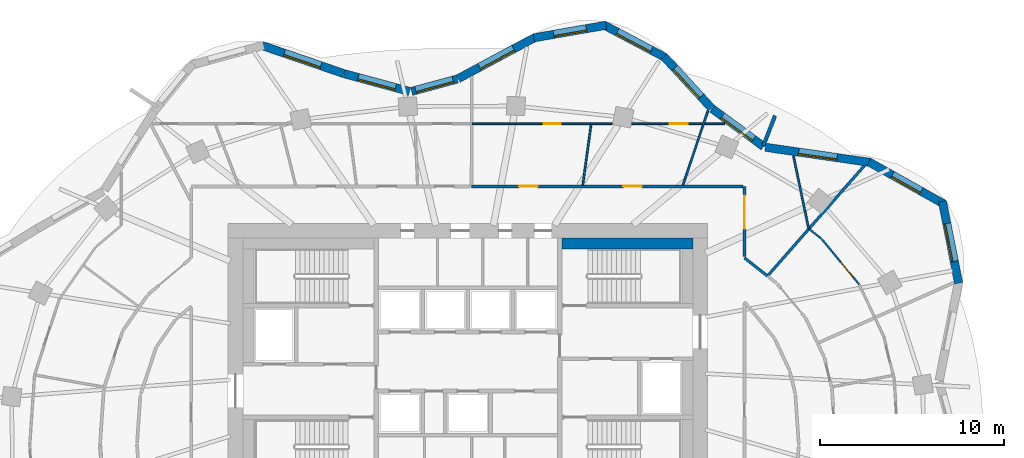
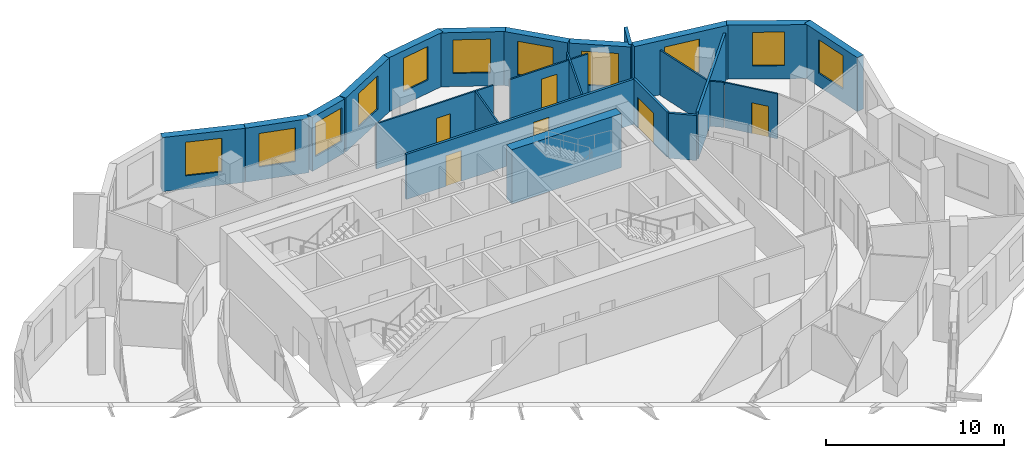
# One storey, part 9 of 11: 24 walls, 11 windows, 6 doors, 17 openings.
"""IFC4 building model written with IfcOpenShell, lengths in metres."""

from ifc_helpers import new_model, si_unit, direction, frame, frame_2d, origin, place, context, subcontext, project, spatial, rectangle, extrude, material, layer, layer_set, type_object, element, fill, save


model = new_model("IFC4")

# Units and contexts
model_context = context("Model", 3, precision=1e-05, world=origin(), true_north=direction((0.0, 1.0)))
body_context = subcontext(model_context, "Body", "Model", "MODEL_VIEW")
ifc_project = project(units=[si_unit("LENGTHUNIT", "METRE"), si_unit("AREAUNIT", "SQUARE_METRE"), si_unit("VOLUMEUNIT", "CUBIC_METRE"), si_unit("PLANEANGLEUNIT", "RADIAN"), si_unit("MASSUNIT", "GRAM", prefix="KILO")], contexts=[model_context])

# Site, building, storey
site_placement = place(None, origin())
site = spatial("IfcSite", under=ifc_project, at=site_placement, CompositionType="ELEMENT")
building_placement = place(site_placement, origin())
building = spatial("IfcBuilding", under=site, at=building_placement, Name="Rubra Terraces Tower", CompositionType="ELEMENT")
storey_placement = place(building_placement, frame((0.0, 0.0, 174.0)))
storey = spatial("IfcBuildingStorey", under=building, at=storey_placement, Name="L42", CompositionType="ELEMENT", Elevation=174.0)

# Wall, opening, window
ifc_material_1 = material(Name="Brick masonry red-brown", Category="masonry")
ifc_layer_1 = layer(ifc_material_1, 0.449951171875)
ifc_layer_set_1 = layer_set([ifc_layer_1], Name="Brick masonry red-brown")
wall_type_1 = type_object("IfcWallType", Name="Brick facade wall 450", PredefinedType="SOLIDWALL", material=ifc_layer_set_1)
wall_1_placement = place(storey_placement, frame((26.609619140625, 8.747802734375, 0.0), z_axis=(0.0, 0.0, 1.0), x_axis=(-0.193923166402, 0.981016720312, 0.0)))
wall_1 = element("IfcWall", 1, at=wall_1_placement, inside=storey, type_object=wall_type_1, Name="Facade wall L42 bay 3", PredefinedType="SOLIDWALL", context=body_context, shape_type="SweptSolid", body=[
    extrude(rectangle(XDim=4.518310546875, YDim=0.449951171875, at=frame_2d((2.25927734375, 0.0))), origin(), (0.0, 0.0, 1.0), 3.699951171875),
])
opening_1_placement = place(wall_1_placement, frame((1.209228515625, 0.0, 0.89990234375)))
opening_1 = element("IfcOpeningElement", 2, at=opening_1_placement, cuts=wall_1, Name="Opening W1B", PredefinedType="OPENING", context=body_context, shape_type="SweptSolid", body=[
    extrude(rectangle(XDim=2.10009765625, YDim=2.300048828125, at=frame_2d((1.050048828125, 1.14990234375))), frame((0.0, 0.23486328125, 0.0), z_axis=(0.0, -1.0, 0.0), x_axis=(1.0, 0.0, 0.0)), (0.0, 0.0, 1.0), 0.469970703125),
])
ifc_material_2 = material(Name="Clear glass in aluminium frame", Category="aluminium")
window_type_1 = type_object("IfcWindowType", Name="Fixed deep-set window tall storey 2100 x 2300", PartitioningType="SINGLE_PANEL", PredefinedType="WINDOW", material=ifc_material_2)
window_1_placement = place(opening_1_placement, origin())
window_1 = element("IfcWindow", 3, at=window_1_placement, inside=storey, type_object=window_type_1, Name="Window L42 bay 3", OverallHeight=2.300048828125, OverallWidth=2.10009765625, PartitioningType="SINGLE_PANEL", PredefinedType="WINDOW", context=body_context, shape_type="SweptSolid", body=[
    extrude(rectangle(XDim=2.10009765625, YDim=2.300048828125, at=frame_2d((1.050048828125, 1.14990234375))), frame((0.0, 0.135009765625, 0.0), z_axis=(0.0, -1.0, 0.0), x_axis=(1.0, 0.0, 0.0)), (0.0, 0.0, 1.0), 0.06005859375),
])
fill(opening_1, window_1)

wall_2_placement = place(storey_placement, frame((25.843994140625, 13.027587890625, 0.0), z_axis=(0.0, 0.0, 1.0), x_axis=(-0.872346398261, 0.488888291373, 0.0)))
wall_2 = element("IfcWall", 4, at=wall_2_placement, inside=storey, type_object=wall_type_1, Name="Facade wall L42 bay 4", PredefinedType="SOLIDWALL", context=body_context, shape_type="SweptSolid", body=[
    extrude(rectangle(XDim=4.696044921875, YDim=0.449951171875, at=frame_2d((2.34814453125, 0.0))), origin(), (0.0, 0.0, 1.0), 3.699951171875),
])
opening_2_placement = place(wall_2_placement, frame((1.447998046875, 0.0, 0.89990234375)))
opening_2 = element("IfcOpeningElement", 5, at=opening_2_placement, cuts=wall_2, Name="Opening W6B", PredefinedType="OPENING", context=body_context, shape_type="SweptSolid", body=[
    extrude(rectangle(XDim=1.800048828125, YDim=2.300048828125, at=frame_2d((0.89990234375, 1.14990234375))), frame((0.0, 0.23486328125, 0.0), z_axis=(0.0, -1.0, 0.0), x_axis=(1.0, 0.0, 0.0)), (0.0, 0.0, 1.0), 0.469970703125),
])
window_type_2 = type_object("IfcWindowType", Name="Fixed deep-set window at wind fin tall storey 1800 x 2300", PartitioningType="SINGLE_PANEL", PredefinedType="WINDOW", material=ifc_material_2)
window_2_placement = place(opening_2_placement, origin())
window_2 = element("IfcWindow", 6, at=window_2_placement, inside=storey, type_object=window_type_2, Name="Window L42 bay 4", OverallHeight=2.300048828125, OverallWidth=1.800048828125, PartitioningType="SINGLE_PANEL", PredefinedType="WINDOW", context=body_context, shape_type="SweptSolid", body=[
    extrude(rectangle(XDim=1.800048828125, YDim=2.300048828125, at=frame_2d((0.89990234375, 1.14990234375))), frame((0.0, 0.135009765625, 0.0), z_axis=(0.0, -1.0, 0.0), x_axis=(1.0, 0.0, 0.0)), (0.0, 0.0, 1.0), 0.06005859375),
])
fill(opening_2, window_2)

wall_3_placement = place(storey_placement, frame((21.8251953125, 15.297119140625, 0.0), z_axis=(0.0, 0.0, 1.0), x_axis=(-0.98971474215, 0.143054986527, 0.0)))
wall_3 = element("IfcWall", 7, at=wall_3_placement, inside=storey, type_object=wall_type_1, Name="Facade wall L42 bay 5", PredefinedType="SOLIDWALL", context=body_context, shape_type="SweptSolid", body=[
    extrude(rectangle(XDim=5.7529296875, YDim=0.449951171875, at=frame_2d((2.87646484375, 0.0))), origin(), (0.0, 0.0, 1.0), 3.699951171875),
])
opening_3_placement = place(wall_3_placement, frame((1.826416015625, 0.0, 0.89990234375)))
opening_3 = element("IfcOpeningElement", 8, at=opening_3_placement, cuts=wall_3, Name="Opening W1B", PredefinedType="OPENING", context=body_context, shape_type="SweptSolid", body=[
    extrude(rectangle(XDim=2.10009765625, YDim=2.300048828125, at=frame_2d((1.050048828125, 1.14990234375))), frame((0.0, 0.23486328125, 0.0), z_axis=(0.0, -1.0, 0.0), x_axis=(1.0, 0.0, 0.0)), (0.0, 0.0, 1.0), 0.469970703125),
])
window_3_placement = place(opening_3_placement, origin())
window_3 = element("IfcWindow", 9, at=window_3_placement, inside=storey, type_object=window_type_1, Name="Window L42 bay 5", OverallHeight=2.300048828125, OverallWidth=2.10009765625, PartitioningType="SINGLE_PANEL", PredefinedType="WINDOW", context=body_context, shape_type="SweptSolid", body=[
    extrude(rectangle(XDim=2.10009765625, YDim=2.300048828125, at=frame_2d((1.050048828125, 1.14990234375))), frame((0.0, 0.135009765625, 0.0), z_axis=(0.0, -1.0, 0.0), x_axis=(1.0, 0.0, 0.0)), (0.0, 0.0, 1.0), 0.06005859375),
])
fill(opening_3, window_3)

wall_4_placement = place(storey_placement, frame((16.03564453125, 16.15771484375, 0.0), z_axis=(0.0, 0.0, 1.0), x_axis=(-0.805181432967, 0.593028549064, 0.0)))
wall_4 = element("IfcWall", 10, at=wall_4_placement, inside=storey, type_object=wall_type_1, Name="Facade wall L42 bay 6", PredefinedType="SOLIDWALL", context=body_context, shape_type="SweptSolid", body=[
    extrude(rectangle(XDim=3.468505859375, YDim=0.449951171875, at=frame_2d((1.734375, 0.0))), origin(), (0.0, 0.0, 1.0), 3.699951171875),
])
opening_4_placement = place(wall_4_placement, frame((0.684326171875, 0.0, 0.89990234375)))
opening_4 = element("IfcOpeningElement", 11, at=opening_4_placement, cuts=wall_4, Name="Opening W1B", PredefinedType="OPENING", context=body_context, shape_type="SweptSolid", body=[
    extrude(rectangle(XDim=2.10009765625, YDim=2.300048828125, at=frame_2d((1.050048828125, 1.14990234375))), frame((0.0, 0.23486328125, 0.0), z_axis=(0.0, -1.0, 0.0), x_axis=(1.0, 0.0, 0.0)), (0.0, 0.0, 1.0), 0.469970703125),
])
window_4_placement = place(opening_4_placement, origin())
window_4 = element("IfcWindow", 12, at=window_4_placement, inside=storey, type_object=window_type_1, Name="Window L42 bay 6", OverallHeight=2.300048828125, OverallWidth=2.10009765625, PartitioningType="SINGLE_PANEL", PredefinedType="WINDOW", context=body_context, shape_type="SweptSolid", body=[
    extrude(rectangle(XDim=2.10009765625, YDim=2.300048828125, at=frame_2d((1.050048828125, 1.14990234375))), frame((0.0, 0.135009765625, 0.0), z_axis=(0.0, -1.0, 0.0), x_axis=(1.0, 0.0, 0.0)), (0.0, 0.0, 1.0), 0.06005859375),
])
fill(opening_4, window_4)

wall_5_placement = place(storey_placement, frame((13.20947265625, 18.242919921875, 0.0), z_axis=(0.0, 0.0, 1.0), x_axis=(-0.677612152497, 0.735419452278, 0.0)))
wall_5 = element("IfcWall", 13, at=wall_5_placement, inside=storey, type_object=wall_type_1, Name="Facade wall L42 bay 7", PredefinedType="SOLIDWALL", context=body_context, shape_type="SweptSolid", body=[
    extrude(rectangle(XDim=3.796875, YDim=0.449951171875, at=frame_2d((1.8984375, 0.0))), origin(), (0.0, 0.0, 1.0), 3.699951171875),
])
opening_5_placement = place(wall_5_placement, frame((0.848388671875, 0.0, 0.89990234375)))
opening_5 = element("IfcOpeningElement", 14, at=opening_5_placement, cuts=wall_5, Name="Opening W1B", PredefinedType="OPENING", context=body_context, shape_type="SweptSolid", body=[
    extrude(rectangle(XDim=2.10009765625, YDim=2.300048828125, at=frame_2d((1.050048828125, 1.14990234375))), frame((0.0, 0.23486328125, 0.0), z_axis=(0.0, -1.0, 0.0), x_axis=(1.0, 0.0, 0.0)), (0.0, 0.0, 1.0), 0.469970703125),
])
window_5_placement = place(opening_5_placement, origin())
window_5 = element("IfcWindow", 15, at=window_5_placement, inside=storey, type_object=window_type_1, Name="Window L42 bay 7", OverallHeight=2.300048828125, OverallWidth=2.10009765625, PartitioningType="SINGLE_PANEL", PredefinedType="WINDOW", context=body_context, shape_type="SweptSolid", body=[
    extrude(rectangle(XDim=2.10009765625, YDim=2.300048828125, at=frame_2d((1.050048828125, 1.14990234375))), frame((0.0, 0.135009765625, 0.0), z_axis=(0.0, -1.0, 0.0), x_axis=(1.0, 0.0, 0.0)), (0.0, 0.0, 1.0), 0.06005859375),
])
fill(opening_5, window_5)

wall_6_placement = place(storey_placement, frame((10.692626953125, 20.9931640625, 0.0), z_axis=(0.0, 0.0, 1.0), x_axis=(-0.883817790726, 0.46783128668, 0.0)))
wall_6 = element("IfcWall", 16, at=wall_6_placement, inside=storey, type_object=wall_type_1, Name="Facade wall L42 bay 8", PredefinedType="SOLIDWALL", context=body_context, shape_type="SweptSolid", body=[
    extrude(rectangle(XDim=3.776611328125, YDim=0.449951171875, at=frame_2d((1.88818359375, 0.0))), origin(), (0.0, 0.0, 1.0), 3.699951171875),
])
opening_6_placement = place(wall_6_placement, frame((0.83837890625, 0.0, 0.89990234375)))
opening_6 = element("IfcOpeningElement", 17, at=opening_6_placement, cuts=wall_6, Name="Opening W1B", PredefinedType="OPENING", context=body_context, shape_type="SweptSolid", body=[
    extrude(rectangle(XDim=2.10009765625, YDim=2.300048828125, at=frame_2d((1.050048828125, 1.14990234375))), frame((0.0, 0.23486328125, 0.0), z_axis=(0.0, -1.0, 0.0), x_axis=(1.0, 0.0, 0.0)), (0.0, 0.0, 1.0), 0.469970703125),
])
window_6_placement = place(opening_6_placement, origin())
window_6 = element("IfcWindow", 18, at=window_6_placement, inside=storey, type_object=window_type_1, Name="Window L42 bay 8", OverallHeight=2.300048828125, OverallWidth=2.10009765625, PartitioningType="SINGLE_PANEL", PredefinedType="WINDOW", context=body_context, shape_type="SweptSolid", body=[
    extrude(rectangle(XDim=2.10009765625, YDim=2.300048828125, at=frame_2d((1.050048828125, 1.14990234375))), frame((0.0, 0.135009765625, 0.0), z_axis=(0.0, -1.0, 0.0), x_axis=(1.0, 0.0, 0.0)), (0.0, 0.0, 1.0), 0.06005859375),
])
fill(opening_6, window_6)

wall_7_placement = place(storey_placement, frame((7.49853515625, 22.7373046875, 0.0), z_axis=(0.0, 0.0, 1.0), x_axis=(-0.98521220506, -0.171338585849, 0.0)))
wall_7 = element("IfcWall", 19, at=wall_7_placement, inside=storey, type_object=wall_type_1, Name="Facade wall L42 bay 9", PredefinedType="SOLIDWALL", context=body_context, shape_type="SweptSolid", body=[
    extrude(rectangle(XDim=3.979736328125, YDim=0.449951171875, at=frame_2d((1.98974609375, 0.0))), origin(), (0.0, 0.0, 1.0), 3.699951171875),
])
opening_7_placement = place(wall_7_placement, frame((1.08984375, 0.0, 0.89990234375)))
opening_7 = element("IfcOpeningElement", 20, at=opening_7_placement, cuts=wall_7, Name="Opening W6B", PredefinedType="OPENING", context=body_context, shape_type="SweptSolid", body=[
    extrude(rectangle(XDim=1.800048828125, YDim=2.300048828125, at=frame_2d((0.89990234375, 1.14990234375))), frame((0.0, 0.23486328125, 0.0), z_axis=(0.0, -1.0, 0.0), x_axis=(1.0, 0.0, 0.0)), (0.0, 0.0, 1.0), 0.469970703125),
])
window_7_placement = place(opening_7_placement, origin())
window_7 = element("IfcWindow", 21, at=window_7_placement, inside=storey, type_object=window_type_2, Name="Window L42 bay 9", OverallHeight=2.300048828125, OverallWidth=1.800048828125, PartitioningType="SINGLE_PANEL", PredefinedType="WINDOW", context=body_context, shape_type="SweptSolid", body=[
    extrude(rectangle(XDim=1.800048828125, YDim=2.300048828125, at=frame_2d((0.89990234375, 1.14990234375))), frame((0.0, 0.135009765625, 0.0), z_axis=(0.0, -1.0, 0.0), x_axis=(1.0, 0.0, 0.0)), (0.0, 0.0, 1.0), 0.06005859375),
])
fill(opening_7, window_7)

wall_8_placement = place(storey_placement, frame((3.6455078125, 22.07861328125, 0.0), z_axis=(0.0, 0.0, 1.0), x_axis=(-0.881279133897, -0.472596115259, 0.0)))
wall_8 = element("IfcWall", 22, at=wall_8_placement, inside=storey, type_object=wall_type_1, Name="Facade wall L42 bay 10", PredefinedType="SOLIDWALL", context=body_context, shape_type="SweptSolid", body=[
    extrude(rectangle(XDim=4.736572265625, YDim=0.449951171875, at=frame_2d((2.3681640625, 0.0))), origin(), (0.0, 0.0, 1.0), 3.699951171875),
])
opening_8_placement = place(wall_8_placement, frame((1.318115234375, 0.0, 0.89990234375)))
opening_8 = element("IfcOpeningElement", 23, at=opening_8_placement, cuts=wall_8, Name="Opening W1B", PredefinedType="OPENING", context=body_context, shape_type="SweptSolid", body=[
    extrude(rectangle(XDim=2.10009765625, YDim=2.300048828125, at=frame_2d((1.050048828125, 1.14990234375))), frame((0.0, 0.23486328125, 0.0), z_axis=(0.0, -1.0, 0.0), x_axis=(1.0, 0.0, 0.0)), (0.0, 0.0, 1.0), 0.469970703125),
])
window_8_placement = place(opening_8_placement, origin())
window_8 = element("IfcWindow", 24, at=window_8_placement, inside=storey, type_object=window_type_1, Name="Window L42 bay 10", OverallHeight=2.300048828125, OverallWidth=2.10009765625, PartitioningType="SINGLE_PANEL", PredefinedType="WINDOW", context=body_context, shape_type="SweptSolid", body=[
    extrude(rectangle(XDim=2.10009765625, YDim=2.300048828125, at=frame_2d((1.050048828125, 1.14990234375))), frame((0.0, 0.135009765625, 0.0), z_axis=(0.0, -1.0, 0.0), x_axis=(1.0, 0.0, 0.0)), (0.0, 0.0, 1.0), 0.06005859375),
])
fill(opening_8, window_8)

wall_9_placement = place(storey_placement, frame((-0.576171875, 19.8212890625, 0.0), z_axis=(0.0, 0.0, 1.0), x_axis=(-0.965009398019, -0.262215296532, 0.0)))
wall_9 = element("IfcWall", 25, at=wall_9_placement, inside=storey, type_object=wall_type_1, Name="Facade wall L42 bay 11", PredefinedType="SOLIDWALL", context=body_context, shape_type="SweptSolid", body=[
    extrude(rectangle(XDim=2.565185546875, YDim=0.449951171875, at=frame_2d((1.28271484375, 0.0))), origin(), (0.0, 0.0, 1.0), 3.699951171875),
])
opening_9_placement = place(wall_9_placement, frame((0.232666015625, 0.0, 0.89990234375)))
opening_9 = element("IfcOpeningElement", 26, at=opening_9_placement, cuts=wall_9, Name="Opening W1B", PredefinedType="OPENING", context=body_context, shape_type="SweptSolid", body=[
    extrude(rectangle(XDim=2.10009765625, YDim=2.300048828125, at=frame_2d((1.050048828125, 1.14990234375))), frame((0.0, 0.23486328125, 0.0), z_axis=(0.0, -1.0, 0.0), x_axis=(1.0, 0.0, 0.0)), (0.0, 0.0, 1.0), 0.469970703125),
])
window_9_placement = place(opening_9_placement, origin())
window_9 = element("IfcWindow", 27, at=window_9_placement, inside=storey, type_object=window_type_1, Name="Window L42 bay 11", OverallHeight=2.300048828125, OverallWidth=2.10009765625, PartitioningType="SINGLE_PANEL", PredefinedType="WINDOW", context=body_context, shape_type="SweptSolid", body=[
    extrude(rectangle(XDim=2.10009765625, YDim=2.300048828125, at=frame_2d((1.050048828125, 1.14990234375))), frame((0.0, 0.135009765625, 0.0), z_axis=(0.0, -1.0, 0.0), x_axis=(1.0, 0.0, 0.0)), (0.0, 0.0, 1.0), 0.06005859375),
])
fill(opening_9, window_9)

wall_10_placement = place(storey_placement, frame((-3.164306640625, 19.147216796875, 0.0), z_axis=(0.0, 0.0, 1.0), x_axis=(-0.965039479998, 0.262104563191, 0.0)))
wall_10 = element("IfcWall", 28, at=wall_10_placement, inside=storey, type_object=wall_type_1, Name="Facade wall L42 bay 12", PredefinedType="SOLIDWALL", context=body_context, shape_type="SweptSolid", body=[
    extrude(rectangle(XDim=3.671875, YDim=0.449951171875, at=frame_2d((1.8359375, 0.0))), origin(), (0.0, 0.0, 1.0), 3.699951171875),
])
opening_10_placement = place(wall_10_placement, frame((0.785888671875, 0.0, 0.89990234375)))
opening_10 = element("IfcOpeningElement", 29, at=opening_10_placement, cuts=wall_10, Name="Opening W1B", PredefinedType="OPENING", context=body_context, shape_type="SweptSolid", body=[
    extrude(rectangle(XDim=2.10009765625, YDim=2.300048828125, at=frame_2d((1.050048828125, 1.14990234375))), frame((0.0, 0.23486328125, 0.0), z_axis=(0.0, -1.0, 0.0), x_axis=(1.0, 0.0, 0.0)), (0.0, 0.0, 1.0), 0.469970703125),
])
window_10_placement = place(opening_10_placement, origin())
window_10 = element("IfcWindow", 30, at=window_10_placement, inside=storey, type_object=window_type_1, Name="Window L42 bay 12", OverallHeight=2.300048828125, OverallWidth=2.10009765625, PartitioningType="SINGLE_PANEL", PredefinedType="WINDOW", context=body_context, shape_type="SweptSolid", body=[
    extrude(rectangle(XDim=2.10009765625, YDim=2.300048828125, at=frame_2d((1.050048828125, 1.14990234375))), frame((0.0, 0.135009765625, 0.0), z_axis=(0.0, -1.0, 0.0), x_axis=(1.0, 0.0, 0.0)), (0.0, 0.0, 1.0), 0.06005859375),
])
fill(opening_10, window_10)

wall_11_placement = place(storey_placement, frame((-6.722900390625, 20.114013671875, 0.0), z_axis=(0.0, 0.0, 1.0), x_axis=(-0.945947299026, 0.324320377815, 0.0)))
wall_11 = element("IfcWall", 31, at=wall_11_placement, inside=storey, type_object=wall_type_1, Name="Facade wall L42 bay 13", PredefinedType="SOLIDWALL", context=body_context, shape_type="SweptSolid", body=[
    extrude(rectangle(XDim=4.74462890625, YDim=0.449951171875, at=frame_2d((2.372314453125, 0.0))), origin(), (0.0, 0.0, 1.0), 3.699951171875),
])
opening_11_placement = place(wall_11_placement, frame((1.322265625, 0.0, 0.89990234375)))
opening_11 = element("IfcOpeningElement", 32, at=opening_11_placement, cuts=wall_11, Name="Opening W1B", PredefinedType="OPENING", context=body_context, shape_type="SweptSolid", body=[
    extrude(rectangle(XDim=2.10009765625, YDim=2.300048828125, at=frame_2d((1.050048828125, 1.14990234375))), frame((0.0, 0.23486328125, 0.0), z_axis=(0.0, -1.0, 0.0), x_axis=(1.0, 0.0, 0.0)), (0.0, 0.0, 1.0), 0.469970703125),
])
window_11_placement = place(opening_11_placement, origin())
window_11 = element("IfcWindow", 33, at=window_11_placement, inside=storey, type_object=window_type_1, Name="Window L42 bay 13", OverallHeight=2.300048828125, OverallWidth=2.10009765625, PartitioningType="SINGLE_PANEL", PredefinedType="WINDOW", context=body_context, shape_type="SweptSolid", body=[
    extrude(rectangle(XDim=2.10009765625, YDim=2.300048828125, at=frame_2d((1.050048828125, 1.14990234375))), frame((0.0, 0.135009765625, 0.0), z_axis=(0.0, -1.0, 0.0), x_axis=(1.0, 0.0, 0.0)), (0.0, 0.0, 1.0), 0.06005859375),
])
fill(opening_11, window_11)

# Walls
ifc_layer_2 = layer(ifc_material_1, 0.199951171875)
ifc_layer_set_2 = layer_set([ifc_layer_2], Name="Brick masonry red-brown")
wall_type_2 = type_object("IfcWallType", Name="Brick wind fin 200", PredefinedType="SOLIDWALL", material=ifc_layer_set_2)
wall_12_placement = place(storey_placement, frame((16.01904296875, 16.195068359375, 0.0), z_axis=(0.0, 0.0, 1.0), x_axis=(0.362641522028, 0.931928713208, 0.0)))
element("IfcWall", 34, at=wall_12_placement, inside=storey, type_object=wall_type_2, Name="Wind fin L42 4", PredefinedType="SOLIDWALL", context=body_context, shape_type="SweptSolid", body=[
    extrude(rectangle(XDim=1.749755859375, YDim=0.199951171875, at=frame_2d((0.875, 0.0))), origin(), (0.0, 0.0, 1.0), 3.699951171875),
])
ifc_material_3 = material(Name="Plasterboard on steel stud, mineral wool infill", Category="steel")
ifc_layer_3 = layer(ifc_material_3, 0.14990234375)
ifc_layer_set_3 = layer_set([ifc_layer_3], Name="Plasterboard on steel stud, mineral wool infill")
wall_type_3 = type_object("IfcWallType", Name="CORRIDOR PARTITION 150", PredefinedType="PARTITIONING", material=ifc_layer_set_3)
wall_13_placement = place(storey_placement, frame((16.246337890625, 9.13818359375, 0.0), z_axis=(0.0, 0.0, 1.0), x_axis=(-0.785126783061, 0.619335074512, 0.0)))
element("IfcWall", 35, at=wall_13_placement, inside=storey, type_object=wall_type_3, Name="PARTITION", PredefinedType="PARTITIONING", context=body_context, shape_type="SweptSolid", body=[
    extrude(rectangle(XDim=1.58740234375, YDim=0.14990234375, at=frame_2d((0.793701171875, 0.0))), origin(), (0.0, 0.0, 1.0), 3.083984375),
])

# Wall, opening, door
wall_14_placement = place(storey_placement, frame((15.0, 10.1962890625, 0.0), z_axis=(0.0, 0.0, 1.0), x_axis=(0.0, 1.0, 0.0)))
wall_14 = element("IfcWall", 36, at=wall_14_placement, inside=storey, type_object=wall_type_3, Name="PARTITION", PredefinedType="PARTITIONING", context=body_context, shape_type="SweptSolid", body=[
    extrude(rectangle(XDim=3.8037109375, YDim=0.14990234375, at=frame_2d((1.90185546875, 0.0))), origin(), (0.0, 0.0, 1.0), 3.083984375),
])
opening_12_placement = place(wall_14_placement, frame((1.5, 0.0, 0.0)))
opening_12 = element("IfcOpeningElement", 37, at=opening_12_placement, cuts=wall_14, Name="Opening 42-101", PredefinedType="OPENING", context=body_context, shape_type="SweptSolid", body=[
    extrude(rectangle(XDim=1.800048828125, YDim=2.10009765625, at=frame_2d((0.89990234375, 1.050048828125))), frame((0.0, 0.0849609375, 0.0), z_axis=(0.0, -1.0, 0.0), x_axis=(1.0, 0.0, 0.0)), (0.0, 0.0, 1.0), 0.169921875),
])
ifc_material_4 = material(Name="Painted timber door leaf, double", Category="wood")
door_type_1 = type_object("IfcDoorType", Name="ROOM DOUBLE DOOR 1800 X 2100", OperationType="DOUBLE_DOOR_SINGLE_SWING", PredefinedType="DOOR", material=ifc_material_4)
door_1_placement = place(opening_12_placement, origin())
door_1 = element("IfcDoor", 38, at=door_1_placement, inside=storey, type_object=door_type_1, Name="DOOR 42-101", OperationType="DOUBLE_DOOR_SINGLE_SWING", OverallHeight=2.10009765625, OverallWidth=1.800048828125, PredefinedType="DOOR", context=body_context, shape_type="SweptSolid", body=[
    extrude(rectangle(XDim=1.800048828125, YDim=2.10009765625, at=frame_2d((0.89990234375, 1.050048828125))), frame((0.0, 0.02490234375, 0.0), z_axis=(0.0, -1.0, 0.0), x_axis=(1.0, 0.0, 0.0)), (0.0, 0.0, 1.0), 0.050048828125),
])
fill(opening_12, door_1)

# Wall, openings, doors
wall_15_placement = place(storey_placement, frame((14.925048828125, 14.0, 0.0), z_axis=(0.0, 0.0, 1.0), x_axis=(-1.0, 0.0, 0.0)))
wall_15 = element("IfcWall", 39, at=wall_15_placement, inside=storey, type_object=wall_type_3, Name="PARTITION", PredefinedType="PARTITIONING", context=body_context, shape_type="SweptSolid", body=[
    extrude(rectangle(XDim=14.724853515625, YDim=0.14990234375, at=frame_2d((7.3623046875, 0.0))), origin(), (0.0, 0.0, 1.0), 3.083984375),
])
opening_13_placement = place(wall_15_placement, frame((5.4951171875, 0.0, 0.0)))
opening_13 = element("IfcOpeningElement", 40, at=opening_13_placement, cuts=wall_15, Name="Opening 42-102", PredefinedType="OPENING", context=body_context, shape_type="SweptSolid", body=[
    extrude(rectangle(XDim=1.0, YDim=2.39990234375, at=frame_2d((0.5, 1.199951171875))), frame((0.0, 0.0849609375, 0.0), z_axis=(0.0, -1.0, 0.0), x_axis=(1.0, 0.0, 0.0)), (0.0, 0.0, 1.0), 0.169921875),
])
opening_14_placement = place(wall_15_placement, frame((11.14990234375, 0.0, 0.0)))
opening_14 = element("IfcOpeningElement", 41, at=opening_14_placement, cuts=wall_15, Name="Opening 42-133", PredefinedType="OPENING", context=body_context, shape_type="SweptSolid", body=[
    extrude(rectangle(XDim=1.0, YDim=2.10009765625, at=frame_2d((0.5, 1.050048828125))), frame((0.0, 0.0849609375, 0.0), z_axis=(0.0, -1.0, 0.0), x_axis=(1.0, 0.0, 0.0)), (0.0, 0.0, 1.0), 0.169921875),
])
ifc_material_5 = material(Name="Glazed aluminium meeting door leaf", Category="aluminium")
door_type_2 = type_object("IfcDoorType", Name="MEETING ROOM GLAZED DOOR 1000 X 2400", OperationType="SINGLE_SWING_LEFT", PredefinedType="DOOR", material=ifc_material_5)
door_2_placement = place(opening_13_placement, origin())
door_2 = element("IfcDoor", 42, at=door_2_placement, inside=storey, type_object=door_type_2, Name="DOOR 42-102", OperationType="SINGLE_SWING_RIGHT", OverallHeight=2.39990234375, OverallWidth=1.0, PredefinedType="DOOR", context=body_context, shape_type="SweptSolid", body=[
    extrude(rectangle(XDim=1.0, YDim=2.39990234375, at=frame_2d((0.5, 1.199951171875))), frame((0.0, 0.02490234375, 0.0), z_axis=(0.0, -1.0, 0.0), x_axis=(1.0, 0.0, 0.0)), (0.0, 0.0, 1.0), 0.050048828125),
])
fill(opening_13, door_2)
ifc_material_6 = material(Name="Painted timber door leaf", Category="wood")
door_type_3 = type_object("IfcDoorType", Name="ROOM DOOR 1000 X 2100", OperationType="SINGLE_SWING_LEFT", PredefinedType="DOOR", material=ifc_material_6)
door_3_placement = place(opening_14_placement, origin())
door_3 = element("IfcDoor", 43, at=door_3_placement, inside=storey, type_object=door_type_3, Name="DOOR 42-133", OperationType="SINGLE_SWING_RIGHT", OverallHeight=2.10009765625, OverallWidth=1.0, PredefinedType="DOOR", context=body_context, shape_type="SweptSolid", body=[
    extrude(rectangle(XDim=1.0, YDim=2.10009765625, at=frame_2d((0.5, 1.050048828125))), frame((0.0, 0.02490234375, 0.0), z_axis=(0.0, -1.0, 0.0), x_axis=(1.0, 0.0, 0.0)), (0.0, 0.0, 1.0), 0.050048828125),
])
fill(opening_14, door_3)

# Wall
ifc_material_7 = material(Name="Concrete C40", Category="concrete")
ifc_layer_4 = layer(ifc_material_7, 0.60009765625)
ifc_layer_set_4 = layer_set([ifc_layer_4], Name="Concrete C40")
wall_type_4 = type_object("IfcWallType", Name="Core lining wall 600 concrete", PredefinedType="SOLIDWALL", material=ifc_layer_set_4)
wall_16_placement = place(storey_placement, frame((12.199951171875, 10.89990234375, 0.0), z_axis=(0.0, 0.0, 1.0), x_axis=(-1.0, 0.0, 0.0)))
element("IfcWall", 44, at=wall_16_placement, inside=storey, type_object=wall_type_4, Name="CORE LINING WALL L42", PredefinedType="SOLIDWALL", context=body_context, shape_type="SweptSolid", body=[
    extrude(rectangle(XDim=7.099853515625, YDim=0.60009765625, at=frame_2d((3.5498046875, 0.0))), origin(), (0.0, 0.0, 1.0), 3.699951171875),
])

# Wall, opening, door
ifc_material_8 = material(Name="Plasterboard on steel stud", Category="steel")
ifc_layer_5 = layer(ifc_material_8, 0.10009765625)
ifc_layer_set_5 = layer_set([ifc_layer_5], Name="Plasterboard on steel stud")
wall_type_5 = type_object("IfcWallType", Name="ROOM PARTITION 100", PredefinedType="PARTITIONING", material=ifc_layer_set_5)
wall_17_placement = place(storey_placement, frame((0.228271484375, 17.39990234375, 0.0), z_axis=(0.0, 0.0, 1.0), x_axis=(1.0, 0.0, 0.0)))
wall_17 = element("IfcWall", 45, at=wall_17_placement, inside=storey, type_object=wall_type_5, Name="PARTITION", PredefinedType="PARTITIONING", context=body_context, shape_type="SweptSolid", body=[
    extrude(rectangle(XDim=7.59619140625, YDim=0.10009765625, at=frame_2d((3.798095703125, 0.0))), origin(), (0.0, 0.0, 1.0), 3.083984375),
])
opening_15_placement = place(wall_17_placement, frame((3.89404296875, 0.0, 0.0)))
opening_15 = element("IfcOpeningElement", 46, at=opening_15_placement, cuts=wall_17, Name="Opening 42-103", PredefinedType="OPENING", context=body_context, shape_type="SweptSolid", body=[
    extrude(rectangle(XDim=0.89990234375, YDim=2.10009765625, at=frame_2d((0.449951171875, 1.050048828125))), frame((0.0, 0.06005859375, 0.0), z_axis=(0.0, -1.0, 0.0), x_axis=(1.0, 0.0, 0.0)), (0.0, 0.0, 1.0), 0.1201171875),
])
door_type_4 = type_object("IfcDoorType", Name="ROOM DOOR 900 X 2100", OperationType="SINGLE_SWING_LEFT", PredefinedType="DOOR", material=ifc_material_6)
door_4_placement = place(opening_15_placement, origin())
door_4 = element("IfcDoor", 47, at=door_4_placement, inside=storey, type_object=door_type_4, Name="DOOR 42-103", OperationType="SINGLE_SWING_LEFT", OverallHeight=2.10009765625, OverallWidth=0.89990234375, PredefinedType="DOOR", context=body_context, shape_type="SweptSolid", body=[
    extrude(rectangle(XDim=0.89990234375, YDim=2.10009765625, at=frame_2d((0.449951171875, 1.050048828125))), frame((0.0, 0.02490234375, 0.0), z_axis=(0.0, -1.0, 0.0), x_axis=(1.0, 0.0, 0.0)), (0.0, 0.0, 1.0), 0.050048828125),
])
fill(opening_15, door_4)

wall_18_placement = place(storey_placement, frame((8.8837890625, 17.39990234375, 0.0), z_axis=(0.0, 0.0, 1.0), x_axis=(1.0, 0.0, 0.0)))
wall_18 = element("IfcWall", 48, at=wall_18_placement, inside=storey, type_object=wall_type_5, Name="PARTITION", PredefinedType="PARTITIONING", context=body_context, shape_type="SweptSolid", body=[
    extrude(rectangle(XDim=5.05224609375, YDim=0.10009765625, at=frame_2d((2.526123046875, 0.0))), origin(), (0.0, 0.0, 1.0), 3.083984375),
])
opening_16_placement = place(wall_18_placement, frame((2.050048828125, 0.0, 0.0)))
opening_16 = element("IfcOpeningElement", 49, at=opening_16_placement, cuts=wall_18, Name="Opening 42-132", PredefinedType="OPENING", context=body_context, shape_type="SweptSolid", body=[
    extrude(rectangle(XDim=1.0, YDim=2.39990234375, at=frame_2d((0.5, 1.199951171875))), frame((0.0, 0.06005859375, 0.0), z_axis=(0.0, -1.0, 0.0), x_axis=(1.0, 0.0, 0.0)), (0.0, 0.0, 1.0), 0.1201171875),
])
door_5_placement = place(opening_16_placement, origin())
door_5 = element("IfcDoor", 50, at=door_5_placement, inside=storey, type_object=door_type_2, Name="DOOR 42-132", OperationType="SINGLE_SWING_LEFT", OverallHeight=2.39990234375, OverallWidth=1.0, PredefinedType="DOOR", context=body_context, shape_type="SweptSolid", body=[
    extrude(rectangle(XDim=1.0, YDim=2.39990234375, at=frame_2d((0.5, 1.199951171875))), frame((0.0, 0.02490234375, 0.0), z_axis=(0.0, -1.0, 0.0), x_axis=(1.0, 0.0, 0.0)), (0.0, 0.0, 1.0), 0.050048828125),
])
fill(opening_16, door_5)

# Walls
wall_19_placement = place(storey_placement, frame((17.656494140625, 15.652099609375, 0.0), z_axis=(0.0, 0.0, 1.0), x_axis=(0.203733969948, -0.979026286414, 0.0)))
element("IfcWall", 51, at=wall_19_placement, inside=storey, type_object=wall_type_5, Name="PARTITION", PredefinedType="PARTITIONING", context=body_context, shape_type="SweptSolid", body=[
    extrude(rectangle(XDim=4.027587890625, YDim=0.10009765625, at=frame_2d((2.013671875, 0.0))), origin(), (0.0, 0.0, 1.0), 3.083984375),
])
wall_20_placement = place(storey_placement, frame((11.663818359375, 14.071044921875, 0.0), z_axis=(0.0, 0.0, 1.0), x_axis=(0.319050122348, 0.947737843198, 0.0)))
element("IfcWall", 52, at=wall_20_placement, inside=storey, type_object=wall_type_5, Name="PARTITION", PredefinedType="PARTITIONING", context=body_context, shape_type="SweptSolid", body=[
    extrude(rectangle(XDim=4.25390625, YDim=0.10009765625, at=frame_2d((2.126953125, 0.0))), origin(), (0.0, 0.0, 1.0), 3.083984375),
])
wall_21_placement = place(storey_placement, frame((6.230712890625, 14.07421875, 0.0), z_axis=(0.0, 0.0, 1.0), x_axis=(0.135982862237, 0.990711189589, 0.0)))
element("IfcWall", 53, at=wall_21_placement, inside=storey, type_object=wall_type_5, Name="PARTITION", PredefinedType="PARTITIONING", context=body_context, shape_type="SweptSolid", body=[
    extrude(rectangle(XDim=3.30712890625, YDim=0.10009765625, at=frame_2d((1.653564453125, 0.0))), origin(), (0.0, 0.0, 1.0), 3.083984375),
])
wall_22_placement = place(storey_placement, frame((18.50830078125, 11.68408203125, 0.0), z_axis=(0.0, 0.0, 1.0), x_axis=(0.785067093858, -0.619410734603, 0.0)))
element("IfcWall", 54, at=wall_22_placement, inside=storey, type_object=wall_type_5, Name="PARTITION", PredefinedType="PARTITIONING", context=body_context, shape_type="SweptSolid", body=[
    extrude(rectangle(XDim=0.847412109375, YDim=0.10009765625, at=frame_2d((0.423828125, 0.0))), origin(), (0.0, 0.0, 1.0), 3.083984375),
])

# Wall, opening, door
wall_23_placement = place(storey_placement, frame((19.20556640625, 11.12060546875, 0.0), z_axis=(0.0, 0.0, 1.0), x_axis=(0.636597206989, -0.771196470462, 0.0)))
wall_23 = element("IfcWall", 55, at=wall_23_placement, inside=storey, type_object=wall_type_5, Name="PARTITION", PredefinedType="PARTITIONING", context=body_context, shape_type="SweptSolid", body=[
    extrude(rectangle(XDim=3.15234375, YDim=0.10009765625, at=frame_2d((1.576171875, 0.0))), origin(), (0.0, 0.0, 1.0), 3.083984375),
])
opening_17_placement = place(wall_23_placement, frame((1.618896484375, 0.0, 0.0)))
opening_17 = element("IfcOpeningElement", 56, at=opening_17_placement, cuts=wall_23, Name="Opening 42-126", PredefinedType="OPENING", context=body_context, shape_type="SweptSolid", body=[
    extrude(rectangle(XDim=1.0, YDim=2.10009765625, at=frame_2d((0.5, 1.050048828125))), frame((0.0, 0.06005859375, 0.0), z_axis=(0.0, -1.0, 0.0), x_axis=(1.0, 0.0, 0.0)), (0.0, 0.0, 1.0), 0.1201171875),
])
door_6_placement = place(opening_17_placement, origin())
door_6 = element("IfcDoor", 57, at=door_6_placement, inside=storey, type_object=door_type_3, Name="DOOR 42-126", OperationType="SINGLE_SWING_LEFT", OverallHeight=2.10009765625, OverallWidth=1.0, PredefinedType="DOOR", context=body_context, shape_type="SweptSolid", body=[
    extrude(rectangle(XDim=1.0, YDim=2.10009765625, at=frame_2d((0.5, 1.050048828125))), frame((0.0, 0.02490234375, 0.0), z_axis=(0.0, -1.0, 0.0), x_axis=(1.0, 0.0, 0.0)), (0.0, 0.0, 1.0), 0.050048828125),
])
fill(opening_17, door_6)

# Wall
ifc_layer_6 = layer(ifc_material_8, 0.14990234375)
ifc_layer_set_6 = layer_set([ifc_layer_6], Name="Plasterboard on steel stud")
wall_type_6 = type_object("IfcWallType", Name="ROOM PARTITION 150", PredefinedType="PARTITIONING", material=ifc_layer_set_6)
wall_24_placement = place(storey_placement, frame((21.492919921875, 15.11376953125, 0.0), z_axis=(0.0, 0.0, 1.0), x_axis=(-0.659778549164, -0.751460089467, 0.0)))
element("IfcWall", 58, at=wall_24_placement, inside=storey, type_object=wall_type_6, Name="PARTITION", PredefinedType="PARTITIONING", context=body_context, shape_type="SweptSolid", body=[
    extrude(rectangle(XDim=7.876953125, YDim=0.14990234375, at=frame_2d((3.9384765625, 0.0))), origin(), (0.0, 0.0, 1.0), 3.23388671875),
])

save(model, "model.ifc")
